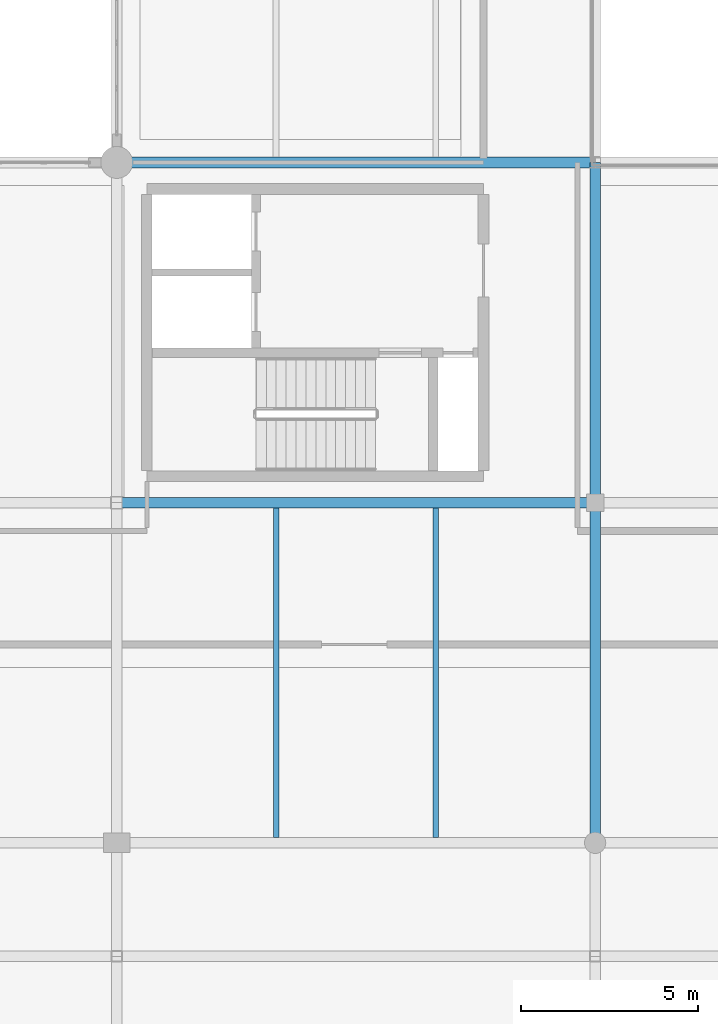
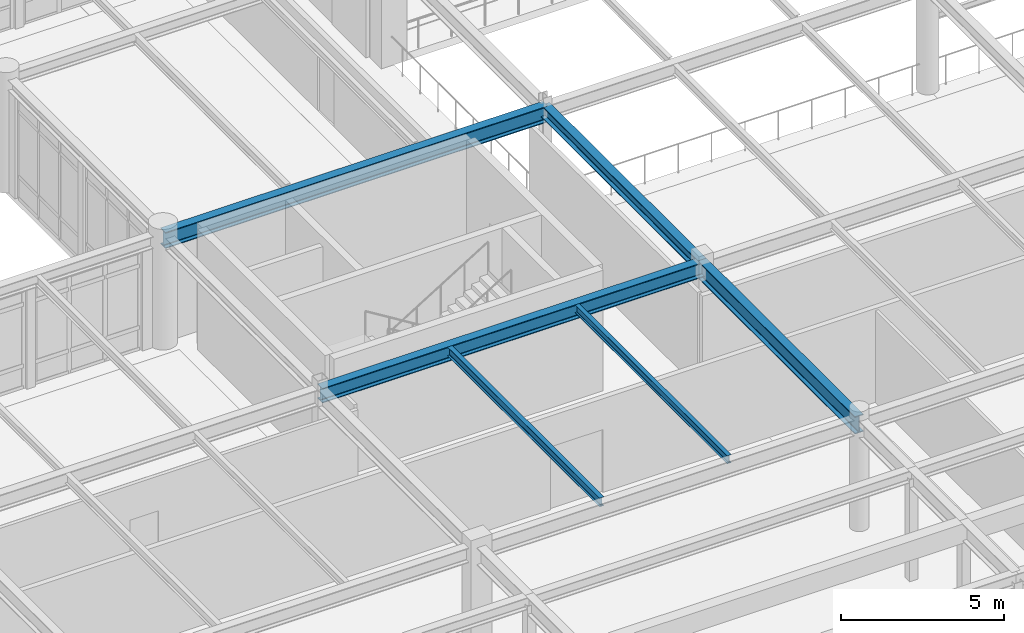
# One storey, part 12 of 61: 6 beams.
"""IFC4 building model written with IfcOpenShell, lengths in metres."""

from ifc_helpers import new_model, si_unit, direction, frame, origin, origin_2d, place, context, subcontext, project, spatial, i_section, extrude, material, material_profile, profile_set, type_object, element, save


model = new_model("IFC4")

# Units and contexts
model_context = context("Model", 3, precision=1e-05, world=origin(), true_north=direction((0.0, 1.0)))
body_context = subcontext(model_context, "Body", "Model", "MODEL_VIEW")
ifc_project = project(units=[si_unit("LENGTHUNIT", "METRE"), si_unit("AREAUNIT", "SQUARE_METRE"), si_unit("VOLUMEUNIT", "CUBIC_METRE"), si_unit("PLANEANGLEUNIT", "RADIAN"), si_unit("MASSUNIT", "GRAM", prefix="KILO")], contexts=[model_context])

# Site, building, storey
site_placement = place(None, origin())
site = spatial("IfcSite", under=ifc_project, at=site_placement, CompositionType="ELEMENT")
building_placement = place(site_placement, origin())
building = spatial("IfcBuilding", under=site, at=building_placement, Name="Fikremerkos Civic Library", CompositionType="ELEMENT")
storey_placement = place(building_placement, frame((0.0, 0.0, 14.39990234375)))
storey = spatial("IfcBuildingStorey", under=building, at=storey_placement, Name="L03", CompositionType="ELEMENT", Elevation=14.39990234375)

# Beams
ifc_material = material(Name="Steel S355", Category="steel")
ifc_material_profile_1 = material_profile(ifc_material, i_section(OverallWidth=0.159912109375, OverallDepth=0.330078125, WebThickness=0.007568359375, FlangeThickness=0.011474609375, FilletRadius=0.01806640625, at=origin_2d()), Name="IPE 330")
ifc_profile_set_1 = profile_set([ifc_material_profile_1], Name="Steel S355")
beam_type_1 = type_object("IfcBeamType", Name="Floor joist JS-10 IPE 330", PredefinedType="JOIST", material=ifc_profile_set_1)
beam_1_placement = place(storey_placement, frame((50.699951171875, 12.14990234375, 3.9951171875), z_axis=(0.0, 1.0, 0.0), x_axis=(-1.0, 0.0, 0.0)))
element("IfcBeam", 1, at=beam_1_placement, inside=storey, type_object=beam_type_1, Name="Floor joist JS-10 L03 #542", PredefinedType="JOIST", context=body_context, shape_type="SweptSolid", body=[
    extrude(i_section(OverallWidth=0.159912109375, OverallDepth=0.330078125, WebThickness=0.007568359375, FlangeThickness=0.011474609375, FilletRadius=0.01806640625, at=origin_2d()), origin(), (0.0, 0.0, 1.0), 9.300048828125),
])
ifc_material_profile_2 = material_profile(ifc_material, i_section(OverallWidth=0.14990234375, OverallDepth=0.300048828125, WebThickness=0.007080078125, FlangeThickness=0.0107421875, FilletRadius=0.014892578125, at=origin_2d()), Name="IPE 300")
ifc_profile_set_2 = profile_set([ifc_material_profile_2], Name="Steel S355")
beam_type_2 = type_object("IfcBeamType", Name="Floor joist JS-11 IPE 300", PredefinedType="JOIST", material=ifc_profile_set_2)
beam_2_placement = place(storey_placement, frame((55.199951171875, 12.14990234375, 4.010009765625), z_axis=(0.0, 1.0, 0.0), x_axis=(-1.0, 0.0, 0.0)))
element("IfcBeam", 2, at=beam_2_placement, inside=storey, type_object=beam_type_2, Name="Floor joist JS-11 L03 #543", PredefinedType="JOIST", context=body_context, shape_type="SweptSolid", body=[
    extrude(i_section(OverallWidth=0.14990234375, OverallDepth=0.300048828125, WebThickness=0.007080078125, FlangeThickness=0.0107421875, FilletRadius=0.014892578125, at=origin_2d()), origin(), (0.0, 0.0, 1.0), 9.300048828125),
])
ifc_material_profile_3 = material_profile(ifc_material, i_section(OverallWidth=0.300048828125, OverallDepth=0.64990234375, WebThickness=0.01611328125, FlangeThickness=0.031005859375, FilletRadius=0.027099609375, at=origin_2d()), Name="HEB 650")
ifc_profile_set_3 = profile_set([ifc_material_profile_3], Name="Steel S355")
beam_type_3 = type_object("IfcBeamType", Name="Primary girder BM-12 HEB 650", PredefinedType="BEAM", material=ifc_profile_set_3)
beam_3_placement = place(storey_placement, frame((59.699951171875, 12.0, 3.835205078125), z_axis=(0.0, 1.0, 0.0), x_axis=(-1.0, 0.0, 0.0)))
element("IfcBeam", 3, at=beam_3_placement, inside=storey, type_object=beam_type_3, Name="Primary girder BM-12 L03 grid 6", PredefinedType="BEAM", context=body_context, shape_type="SweptSolid", body=[
    extrude(i_section(OverallWidth=0.300048828125, OverallDepth=0.64990234375, WebThickness=0.01611328125, FlangeThickness=0.031005859375, FilletRadius=0.027099609375, at=origin_2d()), origin(), (0.0, 0.0, 1.0), 9.60009765625),
])
ifc_material_profile_4 = material_profile(ifc_material, i_section(OverallWidth=0.300048828125, OverallDepth=0.60009765625, WebThickness=0.015380859375, FlangeThickness=0.030029296875, FilletRadius=0.027099609375, at=origin_2d()), Name="HEB 600")
ifc_profile_set_4 = profile_set([ifc_material_profile_4], Name="Steel S355")
beam_type_4 = type_object("IfcBeamType", Name="Primary girder BM-13 HEB 600", PredefinedType="BEAM", material=ifc_profile_set_4)
beam_4_placement = place(storey_placement, frame((46.199951171875, 31.199951171875, 3.860107421875), z_axis=(1.0, 0.0, 0.0), x_axis=(0.0, 1.0, 0.0)))
element("IfcBeam", 4, at=beam_4_placement, inside=storey, type_object=beam_type_4, Name="Primary girder BM-13 L03 grid G", PredefinedType="BEAM", context=body_context, shape_type="SweptSolid", body=[
    extrude(i_section(OverallWidth=0.300048828125, OverallDepth=0.60009765625, WebThickness=0.015380859375, FlangeThickness=0.030029296875, FilletRadius=0.027099609375, at=origin_2d()), origin(), (0.0, 0.0, 1.0), 13.5),
])
ifc_material_profile_5 = material_profile(ifc_material, i_section(OverallWidth=0.300048828125, OverallDepth=0.550048828125, WebThickness=0.014892578125, FlangeThickness=0.029052734375, FilletRadius=0.027099609375, at=origin_2d()), Name="HEB 550")
ifc_profile_set_5 = profile_set([ifc_material_profile_5], Name="Steel S355")
beam_type_5 = type_object("IfcBeamType", Name="Primary girder BM-14 HEB 550", PredefinedType="BEAM", material=ifc_profile_set_5)
beam_5_placement = place(storey_placement, frame((46.199951171875, 21.60009765625, 3.885009765625), z_axis=(1.0, 0.0, 0.0), x_axis=(0.0, 1.0, 0.0)))
element("IfcBeam", 5, at=beam_5_placement, inside=storey, type_object=beam_type_5, Name="Primary girder BM-14 L03 grid F", PredefinedType="BEAM", context=body_context, shape_type="SweptSolid", body=[
    extrude(i_section(OverallWidth=0.300048828125, OverallDepth=0.550048828125, WebThickness=0.014892578125, FlangeThickness=0.029052734375, FilletRadius=0.027099609375, at=origin_2d()), origin(), (0.0, 0.0, 1.0), 13.5),
])
ifc_material_profile_6 = material_profile(ifc_material, i_section(OverallWidth=0.300048828125, OverallDepth=0.449951171875, WebThickness=0.013916015625, FlangeThickness=0.02587890625, FilletRadius=0.027099609375, at=origin_2d()), Name="HEB 450")
ifc_profile_set_6 = profile_set([ifc_material_profile_6], Name="Steel S355")
beam_type_6 = type_object("IfcBeamType", Name="Primary girder BM-23 HEB 450", PredefinedType="BEAM", material=ifc_profile_set_6)
beam_6_placement = place(storey_placement, frame((59.699951171875, 21.60009765625, 3.93505859375), z_axis=(0.0, 1.0, 0.0), x_axis=(-1.0, 0.0, 0.0)))
element("IfcBeam", 6, at=beam_6_placement, inside=storey, type_object=beam_type_6, Name="Primary girder BM-23 L03 grid 6", PredefinedType="BEAM", context=body_context, shape_type="SweptSolid", body=[
    extrude(i_section(OverallWidth=0.300048828125, OverallDepth=0.449951171875, WebThickness=0.013916015625, FlangeThickness=0.02587890625, FilletRadius=0.027099609375, at=origin_2d()), origin(), (0.0, 0.0, 1.0), 9.599853515625),
])

save(model, "model.ifc")
